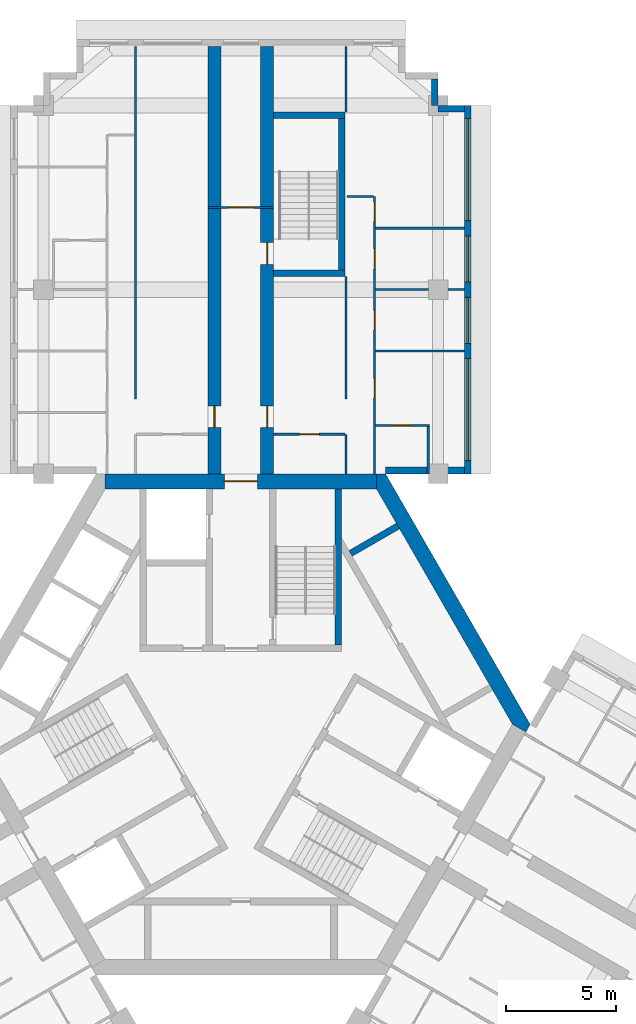
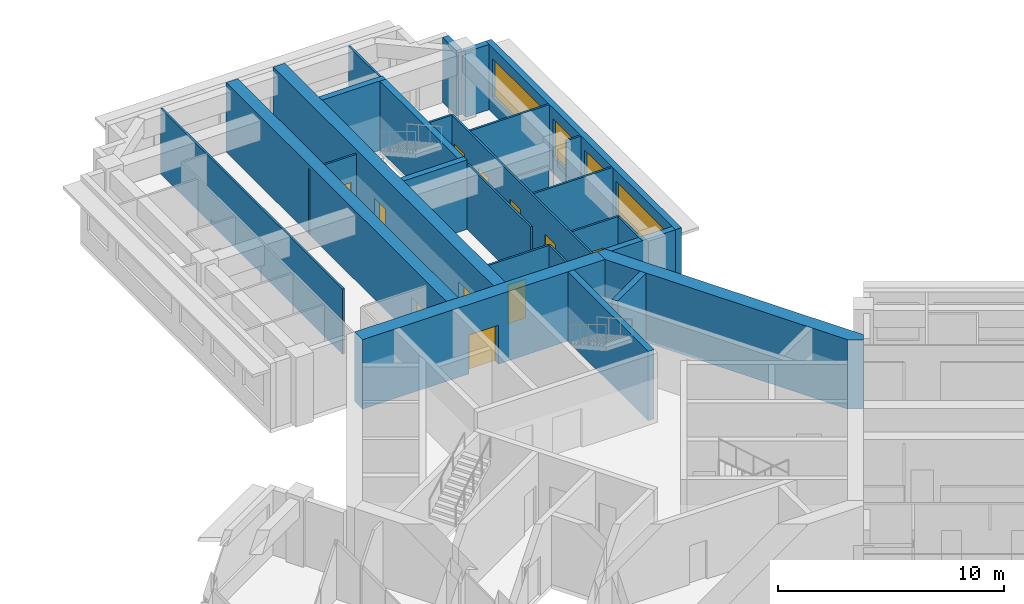
# One storey, part 8 of 11: 27 walls, 11 doors, 4 windows, 15 openings.
"""IFC4 building model written with IfcOpenShell, lengths in metres."""

from ifc_helpers import new_model, si_unit, direction, frame, frame_2d, origin, place, context, subcontext, project, spatial, polyline, rectangle, outline, extrude, material, layer, layer_set, type_object, element, fill, save


model = new_model("IFC4")

# Units and contexts
model_context = context("Model", 3, precision=1e-05, world=origin(), true_north=direction((0.0, 1.0)))
body_context = subcontext(model_context, "Body", "Model", "MODEL_VIEW")
ifc_project = project(units=[si_unit("LENGTHUNIT", "METRE"), si_unit("AREAUNIT", "SQUARE_METRE"), si_unit("VOLUMEUNIT", "CUBIC_METRE"), si_unit("PLANEANGLEUNIT", "RADIAN"), si_unit("MASSUNIT", "GRAM", prefix="KILO")], contexts=[model_context])

# Site, building, storey
site_placement = place(None, origin())
site = spatial("IfcSite", under=ifc_project, at=site_placement, CompositionType="ELEMENT")
building_placement = place(site_placement, origin())
building = spatial("IfcBuilding", under=site, at=building_placement, Name="Impinga Residences", CompositionType="ELEMENT")
storey_placement = place(building_placement, frame((0.0, 0.0, 207.25)))
storey = spatial("IfcBuildingStorey", under=building, at=storey_placement, Name="L51", CompositionType="ELEMENT", Elevation=207.25)

# Wall, opening, door
ifc_material_1 = material(Name="Concrete C60/75", Category="concrete")
ifc_layer_1 = layer(ifc_material_1, 0.60009765625)
ifc_layer_set_1 = layer_set([ifc_layer_1], Name="Concrete C60/75")
wall_type_1 = type_object("IfcWallType", Name="BW3 corridor buttress wall, L46 to L73 600", PredefinedType="SHEAR", material=ifc_layer_set_1)
wall_1_placement = place(storey_placement, frame((-1.199951171875, 11.08154296875, 0.0), z_axis=(0.0, 0.0, 1.0), x_axis=(0.0, 1.0, 0.0)))
wall_1 = element("IfcWall", 1, at=wall_1_placement, inside=storey, type_object=wall_type_1, Name="Corridor wall BW3 NC L51", PredefinedType="SHEAR", context=body_context, shape_type="SweptSolid", body=[
    extrude(rectangle(XDim=19.85009765625, YDim=0.60009765625, at=frame_2d((9.925048828125, 0.0))), origin(), (0.0, 0.0, 1.0), 3.75),
])
opening_1_placement = place(wall_1_placement, frame((2.449951171875, 0.0, 0.0)))
opening_1 = element("IfcOpeningElement", 2, at=opening_1_placement, cuts=wall_1, Name="Opening D1", PredefinedType="OPENING", context=body_context, shape_type="SweptSolid", body=[
    extrude(rectangle(XDim=1.0, YDim=2.10009765625, at=frame_2d((0.5, 1.050048828125))), frame((0.0, 0.31005859375, 0.0), z_axis=(0.0, -1.0, 0.0), x_axis=(1.0, 0.0, 0.0)), (0.0, 0.0, 1.0), 0.6201171875),
])
ifc_material_2 = material(Name="Timber door set", Category="wood")
door_type_1 = type_object("IfcDoorType", Name="D1 apartment entrance door 1000x2100", OperationType="SINGLE_SWING_LEFT", PredefinedType="DOOR", material=ifc_material_2)
door_1_placement = place(opening_1_placement, origin())
door_1 = element("IfcDoor", 3, at=door_1_placement, inside=storey, type_object=door_type_1, Name="Apartment L51-NA1 entrance", OperationType="SINGLE_SWING_LEFT", OverallHeight=2.10009765625, OverallWidth=1.0, PredefinedType="DOOR", context=body_context, shape_type="SweptSolid", body=[
    extrude(rectangle(XDim=1.0, YDim=2.10009765625, at=frame_2d((0.5, 1.050048828125))), frame((0.0, 0.02490234375, 0.0), z_axis=(0.0, -1.0, 0.0), x_axis=(1.0, 0.0, 0.0)), (0.0, 0.0, 1.0), 0.050048828125),
])
fill(opening_1, door_1)

# Wall, openings, doors
wall_2_placement = place(storey_placement, frame((1.199951171875, 11.08154296875, 0.0), z_axis=(0.0, 0.0, 1.0), x_axis=(0.0, 1.0, 0.0)))
wall_2 = element("IfcWall", 4, at=wall_2_placement, inside=storey, type_object=wall_type_1, Name="Corridor wall BW3 ND L51", PredefinedType="SHEAR", context=body_context, shape_type="SweptSolid", body=[
    extrude(rectangle(XDim=19.85009765625, YDim=0.60009765625, at=frame_2d((9.925048828125, 0.0))), origin(), (0.0, 0.0, 1.0), 3.75),
])
opening_2_placement = place(wall_2_placement, frame((9.89990234375, 0.0, 0.0)))
opening_2 = element("IfcOpeningElement", 5, at=opening_2_placement, cuts=wall_2, Name="Opening D5", PredefinedType="OPENING", context=body_context, shape_type="SweptSolid", body=[
    extrude(rectangle(XDim=1.0, YDim=2.10009765625, at=frame_2d((0.5, 1.050048828125))), frame((0.0, 0.31005859375, 0.0), z_axis=(0.0, -1.0, 0.0), x_axis=(1.0, 0.0, 0.0)), (0.0, 0.0, 1.0), 0.6201171875),
])
opening_3_placement = place(wall_2_placement, frame((2.449951171875, 0.0, 0.0)))
opening_3 = element("IfcOpeningElement", 6, at=opening_3_placement, cuts=wall_2, Name="Opening D1", PredefinedType="OPENING", context=body_context, shape_type="SweptSolid", body=[
    extrude(rectangle(XDim=1.0, YDim=2.10009765625, at=frame_2d((0.5, 1.050048828125))), frame((0.0, 0.31005859375, 0.0), z_axis=(0.0, -1.0, 0.0), x_axis=(1.0, 0.0, 0.0)), (0.0, 0.0, 1.0), 0.6201171875),
])
door_2_placement = place(opening_3_placement, origin())
door_2 = element("IfcDoor", 7, at=door_2_placement, inside=storey, type_object=door_type_1, Name="Apartment L51-NF1 entrance", OperationType="SINGLE_SWING_LEFT", OverallHeight=2.10009765625, OverallWidth=1.0, PredefinedType="DOOR", context=body_context, shape_type="SweptSolid", body=[
    extrude(rectangle(XDim=1.0, YDim=2.10009765625, at=frame_2d((0.5, 1.050048828125))), frame((0.0, 0.02490234375, 0.0), z_axis=(0.0, -1.0, 0.0), x_axis=(1.0, 0.0, 0.0)), (0.0, 0.0, 1.0), 0.050048828125),
])
fill(opening_3, door_2)
door_type_2 = type_object("IfcDoorType", Name="D5 stair door 1000x2100", OperationType="SINGLE_SWING_LEFT", PredefinedType="DOOR", material=ifc_material_2)
door_3_placement = place(opening_2_placement, origin())
door_3 = element("IfcDoor", 8, at=door_3_placement, inside=storey, type_object=door_type_2, Name="Wing stair door N", OperationType="SINGLE_SWING_RIGHT", OverallHeight=2.10009765625, OverallWidth=1.0, PredefinedType="DOOR", context=body_context, shape_type="SweptSolid", body=[
    extrude(rectangle(XDim=1.0, YDim=2.10009765625, at=frame_2d((0.5, 1.050048828125))), frame((0.0, 0.02490234375, 0.0), z_axis=(0.0, -1.0, 0.0), x_axis=(1.0, 0.0, 0.0)), (0.0, 0.0, 1.0), 0.050048828125),
])
fill(opening_2, door_3)

# Wall, opening, door
ifc_material_3 = material(Name="Concrete blockwork", Category="masonry")
ifc_layer_2 = layer(ifc_material_3, 0.10009765625)
ifc_layer_set_2 = layer_set([ifc_layer_2], Name="CP1 core room partition, blockwork 100")
wall_type_2 = type_object("IfcWallType", Name="CP1 core room partition, blockwork 100", PredefinedType="PARTITIONING", material=ifc_layer_set_2)
wall_3_placement = place(storey_placement, frame((-1.5, 23.58154296875, 0.0), z_axis=(0.0, 0.0, 1.0), x_axis=(1.0, 0.0, 0.0)))
wall_3 = element("IfcWall", 9, at=wall_3_placement, inside=storey, type_object=wall_type_2, Name="Core room partition, blockwork L51:N:LNG", PredefinedType="PARTITIONING", context=body_context, shape_type="SweptSolid", body=[
    extrude(rectangle(XDim=3.0, YDim=0.10009765625, at=frame_2d((1.5, 0.0))), origin(), (0.0, 0.0, 1.0), 3.530029296875),
])
opening_4_placement = place(wall_3_placement, frame((0.89990234375, 0.0, 0.0)))
opening_4 = element("IfcOpeningElement", 10, at=opening_4_placement, cuts=wall_3, Name="Opening D3", PredefinedType="OPENING", context=body_context, shape_type="SweptSolid", body=[
    extrude(rectangle(XDim=1.199951171875, YDim=2.10009765625, at=frame_2d((0.60009765625, 1.050048828125))), frame((0.0, 0.06005859375, 0.0), z_axis=(0.0, -1.0, 0.0), x_axis=(1.0, 0.0, 0.0)), (0.0, 0.0, 1.0), 0.1201171875),
])
door_type_3 = type_object("IfcDoorType", Name="D3 room door, leaf and a half 1200x2100", OperationType="DOUBLE_SWING_LEFT", PredefinedType="DOOR", material=ifc_material_2)
door_4_placement = place(opening_4_placement, origin())
door_4 = element("IfcDoor", 11, at=door_4_placement, inside=storey, type_object=door_type_3, Name="Residents' lounge door N", OperationType="DOUBLE_SWING_LEFT", OverallHeight=2.10009765625, OverallWidth=1.199951171875, PredefinedType="DOOR", context=body_context, shape_type="SweptSolid", body=[
    extrude(rectangle(XDim=1.199951171875, YDim=2.10009765625, at=frame_2d((0.60009765625, 1.050048828125))), frame((0.0, 0.02490234375, 0.0), z_axis=(0.0, -1.0, 0.0), x_axis=(1.0, 0.0, 0.0)), (0.0, 0.0, 1.0), 0.050048828125),
])
fill(opening_4, door_4)

# Walls
ifc_material_4 = material(Name="Terracotta rainscreen on blockwork", Category="masonry")
ifc_layer_3 = layer(ifc_material_4, 0.300048828125)
ifc_layer_set_3 = layer_set([ifc_layer_3], Name="EW1 external wall, terracotta rainscreen on blockwork 300")
wall_type_3 = type_object("IfcWallType", Name="EW1 external wall, terracotta rainscreen on blockwork 300", PredefinedType="SOLIDWALL", material=ifc_layer_set_3)
wall_4_placement = place(storey_placement, frame((8.85009765625, 29.431640625, 0.0), z_axis=(0.0, 0.0, 1.0), x_axis=(0.0, -1.0, 0.0)))
element("IfcWall", 12, at=wall_4_placement, inside=storey, type_object=wall_type_3, Name="External wall EW1 L51", PredefinedType="SOLIDWALL", context=body_context, shape_type="SweptSolid", body=[
    extrude(rectangle(XDim=1.2001953125, YDim=0.300048828125, at=frame_2d((0.60009765625, 0.0))), origin(), (0.0, 0.0, 1.0), 3.530029296875),
])
wall_5_placement = place(storey_placement, frame((9.0048828125, 28.08154296875, 0.0), z_axis=(0.0, 0.0, 1.0), x_axis=(1.0, 0.0, 0.0)))
element("IfcWall", 13, at=wall_5_placement, inside=storey, type_object=wall_type_3, Name="External wall EW1 L51", PredefinedType="SOLIDWALL", context=body_context, shape_type="SweptSolid", body=[
    extrude(rectangle(XDim=1.195068359375, YDim=0.300048828125, at=frame_2d((0.59765625, 0.0))), origin(), (0.0, 0.0, 1.0), 3.530029296875),
])

# Wall, openings, windows
wall_6_placement = place(storey_placement, frame((10.35009765625, 28.2314453125, 0.0), z_axis=(0.0, 0.0, 1.0), x_axis=(0.0, -1.0, 0.0)))
wall_6 = element("IfcWall", 14, at=wall_6_placement, inside=storey, type_object=wall_type_3, Name="External wall EW1 L51", PredefinedType="SOLIDWALL", context=body_context, shape_type="SweptSolid", body=[
    extrude(rectangle(XDim=16.7998046875, YDim=0.300048828125, at=frame_2d((8.39990234375, 0.0))), origin(), (0.0, 0.0, 1.0), 3.530029296875),
])
opening_5_placement = place(wall_6_placement, frame((0.60009765625, 0.0, 0.89990234375)))
opening_5 = element("IfcOpeningElement", 15, at=opening_5_placement, cuts=wall_6, Name="Opening W10", PredefinedType="OPENING", context=body_context, shape_type="SweptSolid", body=[
    extrude(rectangle(XDim=4.64990234375, YDim=2.050048828125, at=frame_2d((2.324951171875, 1.02490234375))), frame((0.0, 0.159912109375, 0.0), z_axis=(0.0, -1.0, 0.0), x_axis=(1.0, 0.0, 0.0)), (0.0, 0.0, 1.0), 0.320068359375),
])
opening_6_placement = place(wall_6_placement, frame((5.949951171875, 0.0, 0.89990234375)))
opening_6 = element("IfcOpeningElement", 16, at=opening_6_placement, cuts=wall_6, Name="Opening W9", PredefinedType="OPENING", context=body_context, shape_type="SweptSolid", body=[
    extrude(rectangle(XDim=2.10009765625, YDim=2.050048828125, at=frame_2d((1.050048828125, 1.02490234375))), frame((0.0, 0.159912109375, 0.0), z_axis=(0.0, -1.0, 0.0), x_axis=(1.0, 0.0, 0.0)), (0.0, 0.0, 1.0), 0.320068359375),
])
opening_7_placement = place(wall_6_placement, frame((8.75, 0.0, 0.89990234375)))
opening_7 = element("IfcOpeningElement", 17, at=opening_7_placement, cuts=wall_6, Name="Opening W9", PredefinedType="OPENING", context=body_context, shape_type="SweptSolid", body=[
    extrude(rectangle(XDim=2.10009765625, YDim=2.050048828125, at=frame_2d((1.050048828125, 1.02490234375))), frame((0.0, 0.159912109375, 0.0), z_axis=(0.0, -1.0, 0.0), x_axis=(1.0, 0.0, 0.0)), (0.0, 0.0, 1.0), 0.320068359375),
])
opening_8_placement = place(wall_6_placement, frame((11.550048828125, 0.0, 0.89990234375)))
opening_8 = element("IfcOpeningElement", 18, at=opening_8_placement, cuts=wall_6, Name="Opening W10", PredefinedType="OPENING", context=body_context, shape_type="SweptSolid", body=[
    extrude(rectangle(XDim=4.64990234375, YDim=2.050048828125, at=frame_2d((2.324951171875, 1.02490234375))), frame((0.0, 0.159912109375, 0.0), z_axis=(0.0, -1.0, 0.0), x_axis=(1.0, 0.0, 0.0)), (0.0, 0.0, 1.0), 0.320068359375),
])
ifc_material_5 = material(Name="Aluminium window, clear double glazing", Category="aluminium")
window_type_1 = type_object("IfcWindowType", Name="W10 ribbon window 4650x2050", PartitioningType="SINGLE_PANEL", PredefinedType="WINDOW", material=ifc_material_5)
window_1_placement = place(opening_5_placement, origin())
window_1 = element("IfcWindow", 19, at=window_1_placement, inside=storey, type_object=window_type_1, Name="Window L51", OverallHeight=2.050048828125, OverallWidth=4.64990234375, PartitioningType="SINGLE_PANEL", PredefinedType="WINDOW", context=body_context, shape_type="SweptSolid", body=[
    extrude(rectangle(XDim=4.64990234375, YDim=2.050048828125, at=frame_2d((2.324951171875, 1.02490234375))), frame((0.0, 0.030029296875, 0.0), z_axis=(0.0, -1.0, 0.0), x_axis=(1.0, 0.0, 0.0)), (0.0, 0.0, 1.0), 0.06005859375),
])
fill(opening_5, window_1)
window_2_placement = place(opening_8_placement, origin())
window_2 = element("IfcWindow", 20, at=window_2_placement, inside=storey, type_object=window_type_1, Name="Window L51", OverallHeight=2.050048828125, OverallWidth=4.64990234375, PartitioningType="SINGLE_PANEL", PredefinedType="WINDOW", context=body_context, shape_type="SweptSolid", body=[
    extrude(rectangle(XDim=4.64990234375, YDim=2.050048828125, at=frame_2d((2.324951171875, 1.02490234375))), frame((0.0, 0.030029296875, 0.0), z_axis=(0.0, -1.0, 0.0), x_axis=(1.0, 0.0, 0.0)), (0.0, 0.0, 1.0), 0.06005859375),
])
fill(opening_8, window_2)
window_type_2 = type_object("IfcWindowType", Name="W9 ribbon window 2100x2050", PartitioningType="SINGLE_PANEL", PredefinedType="WINDOW", material=ifc_material_5)
window_3_placement = place(opening_6_placement, origin())
window_3 = element("IfcWindow", 21, at=window_3_placement, inside=storey, type_object=window_type_2, Name="Window L51", OverallHeight=2.050048828125, OverallWidth=2.10009765625, PartitioningType="SINGLE_PANEL", PredefinedType="WINDOW", context=body_context, shape_type="SweptSolid", body=[
    extrude(rectangle(XDim=2.10009765625, YDim=2.050048828125, at=frame_2d((1.050048828125, 1.02490234375))), frame((0.0, 0.030029296875, 0.0), z_axis=(0.0, -1.0, 0.0), x_axis=(1.0, 0.0, 0.0)), (0.0, 0.0, 1.0), 0.06005859375),
])
fill(opening_6, window_3)
window_4_placement = place(opening_7_placement, origin())
window_4 = element("IfcWindow", 22, at=window_4_placement, inside=storey, type_object=window_type_2, Name="Window L51", OverallHeight=2.050048828125, OverallWidth=2.10009765625, PartitioningType="SINGLE_PANEL", PredefinedType="WINDOW", context=body_context, shape_type="SweptSolid", body=[
    extrude(rectangle(XDim=2.10009765625, YDim=2.050048828125, at=frame_2d((1.050048828125, 1.02490234375))), frame((0.0, 0.030029296875, 0.0), z_axis=(0.0, -1.0, 0.0), x_axis=(1.0, 0.0, 0.0)), (0.0, 0.0, 1.0), 0.06005859375),
])
fill(opening_7, window_4)

# Walls
wall_7_placement = place(storey_placement, frame((10.199951171875, 11.58154296875, 0.0), z_axis=(0.0, 0.0, 1.0), x_axis=(-1.0, 0.0, 0.0)))
element("IfcWall", 23, at=wall_7_placement, inside=storey, type_object=wall_type_3, Name="External wall EW1 L51", PredefinedType="SOLIDWALL", context=body_context, shape_type="SweptSolid", body=[
    extrude(rectangle(XDim=3.599853515625, YDim=0.300048828125, at=frame_2d((1.7998046875, 0.0))), origin(), (0.0, 0.0, 1.0), 3.530029296875),
])
ifc_material_6 = material(Name="Gypsum board on steel studs", Category="steel")
ifc_layer_4 = layer(ifc_material_6, 0.10009765625)
ifc_layer_set_4 = layer_set([ifc_layer_4], Name="Gypsum board on steel studs")
wall_type_4 = type_object("IfcWallType", Name="IP1 partition 100", PredefinedType="PARTITIONING", material=ifc_layer_set_4)
wall_8_placement = place(storey_placement, frame((-4.800048828125, 14.83154296875, 0.0), z_axis=(0.0, 0.0, 1.0), x_axis=(0.0, 1.0, 0.0)))
element("IfcWall", 24, at=wall_8_placement, inside=storey, type_object=wall_type_4, Name="Partition L51-NA1:DIV1", PredefinedType="PARTITIONING", context=body_context, shape_type="SweptSolid", body=[
    extrude(rectangle(XDim=16.10009765625, YDim=0.10009765625, at=frame_2d((8.050048828125, 0.0))), origin(), (0.0, 0.0, 1.0), 3.530029296875),
])
wall_9_placement = place(storey_placement, frame((4.800048828125, 11.431640625, 0.0), z_axis=(0.0, 0.0, 1.0), x_axis=(0.0, 1.0, 0.0)))
element("IfcWall", 25, at=wall_9_placement, inside=storey, type_object=wall_type_4, Name="Partition L51-NF1:DIV0", PredefinedType="PARTITIONING", context=body_context, shape_type="SweptSolid", body=[
    extrude(rectangle(XDim=1.7998046875, YDim=0.10009765625, at=frame_2d((0.89990234375, 0.0))), origin(), (0.0, 0.0, 1.0), 3.530029296875),
])
wall_10_placement = place(storey_placement, frame((4.800048828125, 14.83154296875, 0.0), z_axis=(0.0, 0.0, 1.0), x_axis=(0.0, 1.0, 0.0)))
element("IfcWall", 26, at=wall_10_placement, inside=storey, type_object=wall_type_4, Name="Partition L51-NF1:DIV1", PredefinedType="PARTITIONING", context=body_context, shape_type="SweptSolid", body=[
    extrude(rectangle(XDim=5.60009765625, YDim=0.10009765625, at=frame_2d((2.800048828125, 0.0))), origin(), (0.0, 0.0, 1.0), 3.530029296875),
])
wall_11_placement = place(storey_placement, frame((4.800048828125, 27.931640625, 0.0), z_axis=(0.0, 0.0, 1.0), x_axis=(0.0, 1.0, 0.0)))
element("IfcWall", 27, at=wall_11_placement, inside=storey, type_object=wall_type_4, Name="Partition L51-NF1:DIV2", PredefinedType="PARTITIONING", context=body_context, shape_type="SweptSolid", body=[
    extrude(rectangle(XDim=3.0, YDim=0.10009765625, at=frame_2d((1.5, 0.0))), origin(), (0.0, 0.0, 1.0), 3.530029296875),
])

# Wall, openings, doors
wall_12_placement = place(storey_placement, frame((6.10009765625, 11.431640625, 0.0), z_axis=(0.0, 0.0, 1.0), x_axis=(0.0, 1.0, 0.0)))
wall_12 = element("IfcWall", 28, at=wall_12_placement, inside=storey, type_object=wall_type_4, Name="Partition L51-NF1:STRIP", PredefinedType="PARTITIONING", context=body_context, shape_type="SweptSolid", body=[
    extrude(rectangle(XDim=12.64990234375, YDim=0.10009765625, at=frame_2d((6.324951171875, 0.0))), origin(), (0.0, 0.0, 1.0), 3.530029296875),
])
opening_9_placement = place(wall_12_placement, frame((3.449951171875, 0.0, 0.0)))
opening_9 = element("IfcOpeningElement", 29, at=opening_9_placement, cuts=wall_12, Name="Opening D2", PredefinedType="OPENING", context=body_context, shape_type="SweptSolid", body=[
    extrude(rectangle(XDim=0.89990234375, YDim=2.10009765625, at=frame_2d((0.449951171875, 1.050048828125))), frame((0.0, 0.06005859375, 0.0), z_axis=(0.0, -1.0, 0.0), x_axis=(1.0, 0.0, 0.0)), (0.0, 0.0, 1.0), 0.1201171875),
])
opening_10_placement = place(wall_12_placement, frame((6.550048828125, 0.0, 0.0)))
opening_10 = element("IfcOpeningElement", 30, at=opening_10_placement, cuts=wall_12, Name="Opening D2", PredefinedType="OPENING", context=body_context, shape_type="SweptSolid", body=[
    extrude(rectangle(XDim=0.89990234375, YDim=2.10009765625, at=frame_2d((0.449951171875, 1.050048828125))), frame((0.0, 0.06005859375, 0.0), z_axis=(0.0, -1.0, 0.0), x_axis=(1.0, 0.0, 0.0)), (0.0, 0.0, 1.0), 0.1201171875),
])
opening_11_placement = place(wall_12_placement, frame((9.35009765625, 0.0, 0.0)))
opening_11 = element("IfcOpeningElement", 31, at=opening_11_placement, cuts=wall_12, Name="Opening D2", PredefinedType="OPENING", context=body_context, shape_type="SweptSolid", body=[
    extrude(rectangle(XDim=0.89990234375, YDim=2.10009765625, at=frame_2d((0.449951171875, 1.050048828125))), frame((0.0, 0.06005859375, 0.0), z_axis=(0.0, -1.0, 0.0), x_axis=(1.0, 0.0, 0.0)), (0.0, 0.0, 1.0), 0.1201171875),
])
opening_12_placement = place(wall_12_placement, frame((11.5, 0.0, 0.0)))
opening_12 = element("IfcOpeningElement", 32, at=opening_12_placement, cuts=wall_12, Name="Opening D2", PredefinedType="OPENING", context=body_context, shape_type="SweptSolid", body=[
    extrude(rectangle(XDim=0.89990234375, YDim=2.10009765625, at=frame_2d((0.449951171875, 1.050048828125))), frame((0.0, 0.06005859375, 0.0), z_axis=(0.0, -1.0, 0.0), x_axis=(1.0, 0.0, 0.0)), (0.0, 0.0, 1.0), 0.1201171875),
])
door_type_4 = type_object("IfcDoorType", Name="D2 internal door 900x2100", OperationType="SINGLE_SWING_LEFT", PredefinedType="DOOR", material=ifc_material_2)
door_5_placement = place(opening_9_placement, origin())
door_5 = element("IfcDoor", 33, at=door_5_placement, inside=storey, type_object=door_type_4, Name="Apartment L51-NF1 room door", OperationType="SINGLE_SWING_LEFT", OverallHeight=2.10009765625, OverallWidth=0.89990234375, PredefinedType="DOOR", context=body_context, shape_type="SweptSolid", body=[
    extrude(rectangle(XDim=0.89990234375, YDim=2.10009765625, at=frame_2d((0.449951171875, 1.050048828125))), frame((0.0, 0.02490234375, 0.0), z_axis=(0.0, -1.0, 0.0), x_axis=(1.0, 0.0, 0.0)), (0.0, 0.0, 1.0), 0.050048828125),
])
fill(opening_9, door_5)
door_6_placement = place(opening_10_placement, origin())
door_6 = element("IfcDoor", 34, at=door_6_placement, inside=storey, type_object=door_type_4, Name="Apartment L51-NF1 room door", OperationType="SINGLE_SWING_RIGHT", OverallHeight=2.10009765625, OverallWidth=0.89990234375, PredefinedType="DOOR", context=body_context, shape_type="SweptSolid", body=[
    extrude(rectangle(XDim=0.89990234375, YDim=2.10009765625, at=frame_2d((0.449951171875, 1.050048828125))), frame((0.0, 0.02490234375, 0.0), z_axis=(0.0, -1.0, 0.0), x_axis=(1.0, 0.0, 0.0)), (0.0, 0.0, 1.0), 0.050048828125),
])
fill(opening_10, door_6)
door_7_placement = place(opening_11_placement, origin())
door_7 = element("IfcDoor", 35, at=door_7_placement, inside=storey, type_object=door_type_4, Name="Apartment L51-NF1 room door", OperationType="SINGLE_SWING_RIGHT", OverallHeight=2.10009765625, OverallWidth=0.89990234375, PredefinedType="DOOR", context=body_context, shape_type="SweptSolid", body=[
    extrude(rectangle(XDim=0.89990234375, YDim=2.10009765625, at=frame_2d((0.449951171875, 1.050048828125))), frame((0.0, 0.02490234375, 0.0), z_axis=(0.0, -1.0, 0.0), x_axis=(1.0, 0.0, 0.0)), (0.0, 0.0, 1.0), 0.050048828125),
])
fill(opening_11, door_7)
door_8_placement = place(opening_12_placement, origin())
door_8 = element("IfcDoor", 36, at=door_8_placement, inside=storey, type_object=door_type_4, Name="Apartment L51-NF1 room door", OperationType="SINGLE_SWING_RIGHT", OverallHeight=2.10009765625, OverallWidth=0.89990234375, PredefinedType="DOOR", context=body_context, shape_type="SweptSolid", body=[
    extrude(rectangle(XDim=0.89990234375, YDim=2.10009765625, at=frame_2d((0.449951171875, 1.050048828125))), frame((0.0, 0.02490234375, 0.0), z_axis=(0.0, -1.0, 0.0), x_axis=(1.0, 0.0, 0.0)), (0.0, 0.0, 1.0), 0.050048828125),
])
fill(opening_12, door_8)

# Wall
wall_13_placement = place(storey_placement, frame((4.85009765625, 24.08154296875, 0.0), z_axis=(0.0, 0.0, 1.0), x_axis=(1.0, 0.0, 0.0)))
element("IfcWall", 37, at=wall_13_placement, inside=storey, type_object=wall_type_4, Name="Partition L51-NF1:SE1", PredefinedType="PARTITIONING", context=body_context, shape_type="SweptSolid", body=[
    extrude(rectangle(XDim=1.199951171875, YDim=0.10009765625, at=frame_2d((0.60009765625, 0.0))), origin(), (0.0, 0.0, 1.0), 3.530029296875),
])

# Wall, opening, door
wall_14_placement = place(storey_placement, frame((1.5, 13.2314453125, 0.0), z_axis=(0.0, 0.0, 1.0), x_axis=(1.0, 0.0, 0.0)))
wall_14 = element("IfcWall", 38, at=wall_14_placement, inside=storey, type_object=wall_type_4, Name="Partition L51-NF1:IB1", PredefinedType="PARTITIONING", context=body_context, shape_type="SweptSolid", body=[
    extrude(rectangle(XDim=3.25, YDim=0.10009765625, at=frame_2d((1.625, 0.0))), origin(), (0.0, 0.0, 1.0), 3.530029296875),
])
opening_13_placement = place(wall_14_placement, frame((1.175048828125, 0.0, 0.0)))
opening_13 = element("IfcOpeningElement", 39, at=opening_13_placement, cuts=wall_14, Name="Opening D2", PredefinedType="OPENING", context=body_context, shape_type="SweptSolid", body=[
    extrude(rectangle(XDim=0.89990234375, YDim=2.10009765625, at=frame_2d((0.449951171875, 1.050048828125))), frame((0.0, 0.06005859375, 0.0), z_axis=(0.0, -1.0, 0.0), x_axis=(1.0, 0.0, 0.0)), (0.0, 0.0, 1.0), 0.1201171875),
])
door_9_placement = place(opening_13_placement, origin())
door_9 = element("IfcDoor", 40, at=door_9_placement, inside=storey, type_object=door_type_4, Name="Apartment L51-NF1 bathroom door", OperationType="SINGLE_SWING_LEFT", OverallHeight=2.10009765625, OverallWidth=0.89990234375, PredefinedType="DOOR", context=body_context, shape_type="SweptSolid", body=[
    extrude(rectangle(XDim=0.89990234375, YDim=2.10009765625, at=frame_2d((0.449951171875, 1.050048828125))), frame((0.0, 0.02490234375, 0.0), z_axis=(0.0, -1.0, 0.0), x_axis=(1.0, 0.0, 0.0)), (0.0, 0.0, 1.0), 0.050048828125),
])
fill(opening_13, door_9)

# Walls
wall_15_placement = place(storey_placement, frame((6.14990234375, 17.031494140625, 0.0), z_axis=(0.0, 0.0, 1.0), x_axis=(1.0, 0.0, 0.0)))
element("IfcWall", 41, at=wall_15_placement, inside=storey, type_object=wall_type_4, Name="Partition L51-NF1:OB1", PredefinedType="PARTITIONING", context=body_context, shape_type="SweptSolid", body=[
    extrude(rectangle(XDim=4.050048828125, YDim=0.10009765625, at=frame_2d((2.02490234375, 0.0))), origin(), (0.0, 0.0, 1.0), 3.530029296875),
])
wall_16_placement = place(storey_placement, frame((6.14990234375, 19.83154296875, 0.0), z_axis=(0.0, 0.0, 1.0), x_axis=(1.0, 0.0, 0.0)))
element("IfcWall", 42, at=wall_16_placement, inside=storey, type_object=wall_type_4, Name="Partition L51-NF1:OB2", PredefinedType="PARTITIONING", context=body_context, shape_type="SweptSolid", body=[
    extrude(rectangle(XDim=2.400146484375, YDim=0.10009765625, at=frame_2d((1.2001953125, 0.0))), origin(), (0.0, 0.0, 1.0), 2.47998046875),
])
wall_17_placement = place(storey_placement, frame((9.449951171875, 19.83154296875, 0.0), z_axis=(0.0, 0.0, 1.0), x_axis=(1.0, 0.0, 0.0)))
element("IfcWall", 43, at=wall_17_placement, inside=storey, type_object=wall_type_4, Name="Partition L51-NF1:OB2b", PredefinedType="PARTITIONING", context=body_context, shape_type="SweptSolid", body=[
    extrude(rectangle(XDim=0.75, YDim=0.10009765625, at=frame_2d((0.375, 0.0))), origin(), (0.0, 0.0, 1.0), 3.530029296875),
])
wall_18_placement = place(storey_placement, frame((6.14990234375, 22.631591796875, 0.0), z_axis=(0.0, 0.0, 1.0), x_axis=(1.0, 0.0, 0.0)))
element("IfcWall", 44, at=wall_18_placement, inside=storey, type_object=wall_type_4, Name="Partition L51-NF1:OB3", PredefinedType="PARTITIONING", context=body_context, shape_type="SweptSolid", body=[
    extrude(rectangle(XDim=4.050048828125, YDim=0.10009765625, at=frame_2d((2.02490234375, 0.0))), origin(), (0.0, 0.0, 1.0), 3.530029296875),
])

# Wall, opening, door
wall_19_placement = place(storey_placement, frame((6.14990234375, 13.631591796875, 0.0), z_axis=(0.0, 0.0, 1.0), x_axis=(1.0, 0.0, 0.0)))
wall_19 = element("IfcWall", 45, at=wall_19_placement, inside=storey, type_object=wall_type_4, Name="Partition L51-NF1:EN1", PredefinedType="PARTITIONING", context=body_context, shape_type="SweptSolid", body=[
    extrude(rectangle(XDim=2.4501953125, YDim=0.10009765625, at=frame_2d((1.22509765625, 0.0))), origin(), (0.0, 0.0, 1.0), 3.530029296875),
])
opening_14_placement = place(wall_19_placement, frame((0.75, 0.0, 0.0)))
opening_14 = element("IfcOpeningElement", 46, at=opening_14_placement, cuts=wall_19, Name="Opening D2", PredefinedType="OPENING", context=body_context, shape_type="SweptSolid", body=[
    extrude(rectangle(XDim=0.89990234375, YDim=2.10009765625, at=frame_2d((0.449951171875, 1.050048828125))), frame((0.0, 0.06005859375, 0.0), z_axis=(0.0, -1.0, 0.0), x_axis=(1.0, 0.0, 0.0)), (0.0, 0.0, 1.0), 0.1201171875),
])
door_10_placement = place(opening_14_placement, origin())
door_10 = element("IfcDoor", 47, at=door_10_placement, inside=storey, type_object=door_type_4, Name="Apartment L51-NF1 en-suite door", OperationType="SINGLE_SWING_LEFT", OverallHeight=2.10009765625, OverallWidth=0.89990234375, PredefinedType="DOOR", context=body_context, shape_type="SweptSolid", body=[
    extrude(rectangle(XDim=0.89990234375, YDim=2.10009765625, at=frame_2d((0.449951171875, 1.050048828125))), frame((0.0, 0.02490234375, 0.0), z_axis=(0.0, -1.0, 0.0), x_axis=(1.0, 0.0, 0.0)), (0.0, 0.0, 1.0), 0.050048828125),
])
fill(opening_14, door_10)

# Walls
wall_20_placement = place(storey_placement, frame((8.550048828125, 11.431640625, 0.0), z_axis=(0.0, 0.0, 1.0), x_axis=(0.0, 1.0, 0.0)))
element("IfcWall", 48, at=wall_20_placement, inside=storey, type_object=wall_type_4, Name="Partition L51-NF1:EN2", PredefinedType="PARTITIONING", context=body_context, shape_type="SweptSolid", body=[
    extrude(rectangle(XDim=2.14990234375, YDim=0.10009765625, at=frame_2d((1.074951171875, 0.0))), origin(), (0.0, 0.0, 1.0), 3.530029296875),
])
ifc_layer_5 = layer(ifc_material_1, 0.300048828125)
ifc_layer_set_5 = layer_set([ifc_layer_5], Name="Concrete C60/75")
wall_type_5 = type_object("IfcWallType", Name="SE1 wing stair enclosure wall 300", PredefinedType="SOLIDWALL", material=ifc_layer_set_5)
for number, where, z_axis, x_axis, name in (
    (49, (1.5, 20.58154296875, 0.0), (0.0, 0.0, 1.0), (1.0, 0.0, 0.0), "Stair enclosure wall SE1 N END0 L51"),
    (50, (1.5, 27.781494140625, 0.0), (0.0, 0.0, 1.0), (1.0, 0.0, 0.0), "Stair enclosure wall SE1 N END1 L51"),
):
    element("IfcWall", number, at=place(storey_placement, frame(where, z_axis=z_axis, x_axis=x_axis)), inside=storey, type_object=wall_type_5, Name=name, PredefinedType="SOLIDWALL", context=body_context, shape_type="SweptSolid", body=[
        extrude(rectangle(XDim=3.25, YDim=0.300048828125, at=frame_2d((1.625, 0.0))), origin(), (0.0, 0.0, 1.0), 3.75),
    ])
wall_21_placement = place(storey_placement, frame((4.60009765625, 20.7314453125, 0.0), z_axis=(0.0, 0.0, 1.0), x_axis=(0.0, 1.0, 0.0)))
element("IfcWall", 51, at=wall_21_placement, inside=storey, type_object=wall_type_5, Name="Stair enclosure wall SE1 N OUT L51", PredefinedType="SOLIDWALL", context=body_context, shape_type="SweptSolid", body=[
    extrude(rectangle(XDim=6.900146484375, YDim=0.300048828125, at=frame_2d((3.4501953125, 0.0))), origin(), (0.0, 0.0, 1.0), 3.75),
])

# Wall, opening, door
ifc_layer_6 = layer(ifc_material_1, 0.699951171875)
ifc_layer_set_6 = layer_set([ifc_layer_6], Name="Concrete C60/75")
wall_type_6 = type_object("IfcWallType", Name="SW3 core wall 700", PredefinedType="SHEAR", material=ifc_layer_set_6)
wall_22_placement = place(storey_placement, frame((-6.19580078125, 11.08154296875, 0.0), z_axis=(0.0, 0.0, 1.0), x_axis=(1.0, 0.0, 0.0)))
wall_22 = element("IfcWall", 52, at=wall_22_placement, inside=storey, type_object=wall_type_6, Name="Core wall SW3 N:FACE L51", PredefinedType="SHEAR", context=body_context, shape_type="SweptSolid", body=[
    extrude(rectangle(XDim=12.3916015625, YDim=0.699951171875, at=frame_2d((6.19580078125, 0.0))), origin(), (0.0, 0.0, 1.0), 3.75),
])
opening_15_placement = place(wall_22_placement, frame((5.44580078125, 0.0, 0.0)))
opening_15 = element("IfcOpeningElement", 53, at=opening_15_placement, cuts=wall_22, Name="Opening D4", PredefinedType="OPENING", context=body_context, shape_type="SweptSolid", body=[
    extrude(rectangle(XDim=1.5, YDim=2.10009765625, at=frame_2d((0.75, 1.050048828125))), frame((0.0, 0.35986328125, 0.0), z_axis=(0.0, -1.0, 0.0), x_axis=(1.0, 0.0, 0.0)), (0.0, 0.0, 1.0), 0.719970703125),
])
door_type_5 = type_object("IfcDoorType", Name="D4 lobby door pair 1500x2100", OperationType="DOUBLE_DOOR_DOUBLE_SWING", PredefinedType="DOOR", material=ifc_material_2)
door_11_placement = place(opening_15_placement, origin())
door_11 = element("IfcDoor", 54, at=door_11_placement, inside=storey, type_object=door_type_5, Name="Lobby door N", OperationType="DOUBLE_DOOR_DOUBLE_SWING", OverallHeight=2.10009765625, OverallWidth=1.5, PredefinedType="DOOR", context=body_context, shape_type="SweptSolid", body=[
    extrude(rectangle(XDim=1.5, YDim=2.10009765625, at=frame_2d((0.75, 1.050048828125))), frame((0.0, 0.02490234375, 0.0), z_axis=(0.0, -1.0, 0.0), x_axis=(1.0, 0.0, 0.0)), (0.0, 0.0, 1.0), 0.050048828125),
])
fill(opening_15, door_11)

# Walls
wall_23_placement = place(storey_placement, origin())
element("IfcWall", 55, at=wall_23_placement, inside=storey, type_object=wall_type_6, Name="Core wall SW3 W:EXPOSED L51", PredefinedType="SHEAR", context=body_context, shape_type="SweptSolid", body=[
    extrude(outline(polyline([(13.199951171875, 0.0), (6.60009765625, 11.431640625), (6.19580078125, 11.431640625), (6.19580078125, 10.7314453125), (12.3916015625, 0.0), (12.998046875, -0.35009765625), (13.199951171875, 0.0)])), origin(), (0.0, 0.0, 1.0), 3.75),
])
ifc_material_7 = material(Name="Concrete C70/85", Category="concrete")
ifc_layer_7 = layer(ifc_material_7, 0.300048828125)
ifc_layer_set_7 = layer_set([ifc_layer_7], Name="Concrete C70/85")
wall_type_7 = type_object("IfcWallType", Name="SW5 core inner wall, stairs, shafts and lobbies 300", PredefinedType="SHEAR", material=ifc_layer_set_7)
wall_24_placement = place(storey_placement, frame((4.449951171875, 3.6298828125, 0.0), z_axis=(0.0, 0.0, 1.0), x_axis=(0.0, 1.0, 0.0)))
element("IfcWall", 56, at=wall_24_placement, inside=storey, type_object=wall_type_7, Name="Core wall SW5 N:ST-OUT L51", PredefinedType="SHEAR", context=body_context, shape_type="SweptSolid", body=[
    extrude(rectangle(XDim=7.1015625, YDim=0.300048828125, at=frame_2d((3.55078125, 0.0))), origin(), (0.0, 0.0, 1.0), 3.75),
])
wall_25_placement = place(storey_placement, frame((5.003662109375, 7.79638671875, 0.0), z_axis=(0.0, 0.0, 1.0), x_axis=(0.866022959057, 0.500004234368, 0.0)))
element("IfcWall", 57, at=wall_25_placement, inside=storey, type_object=wall_type_7, Name="Core wall SW5 W:BANK-L L51", PredefinedType="SHEAR", context=body_context, shape_type="SweptSolid", body=[
    extrude(rectangle(XDim=2.5, YDim=0.300048828125, at=frame_2d((1.25, 0.0))), origin(), (0.0, 0.0, 1.0), 3.75),
])

save(model, "model.ifc")
